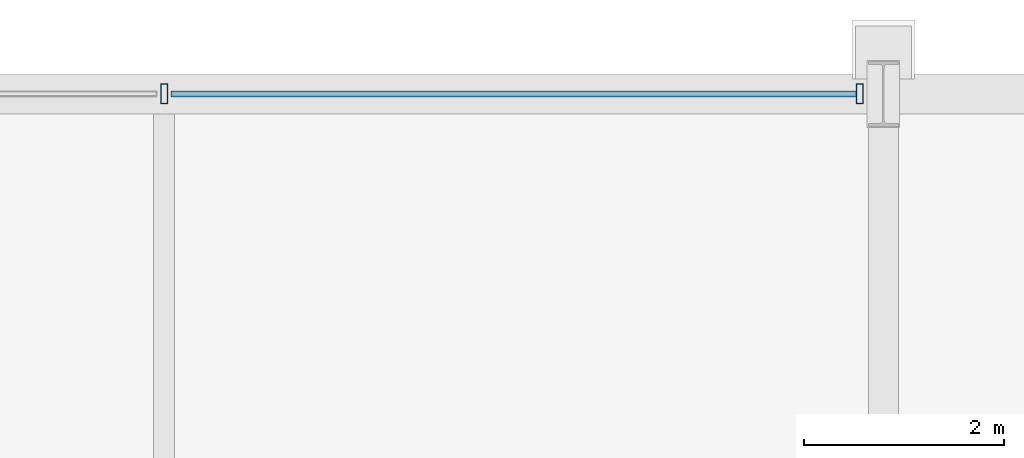
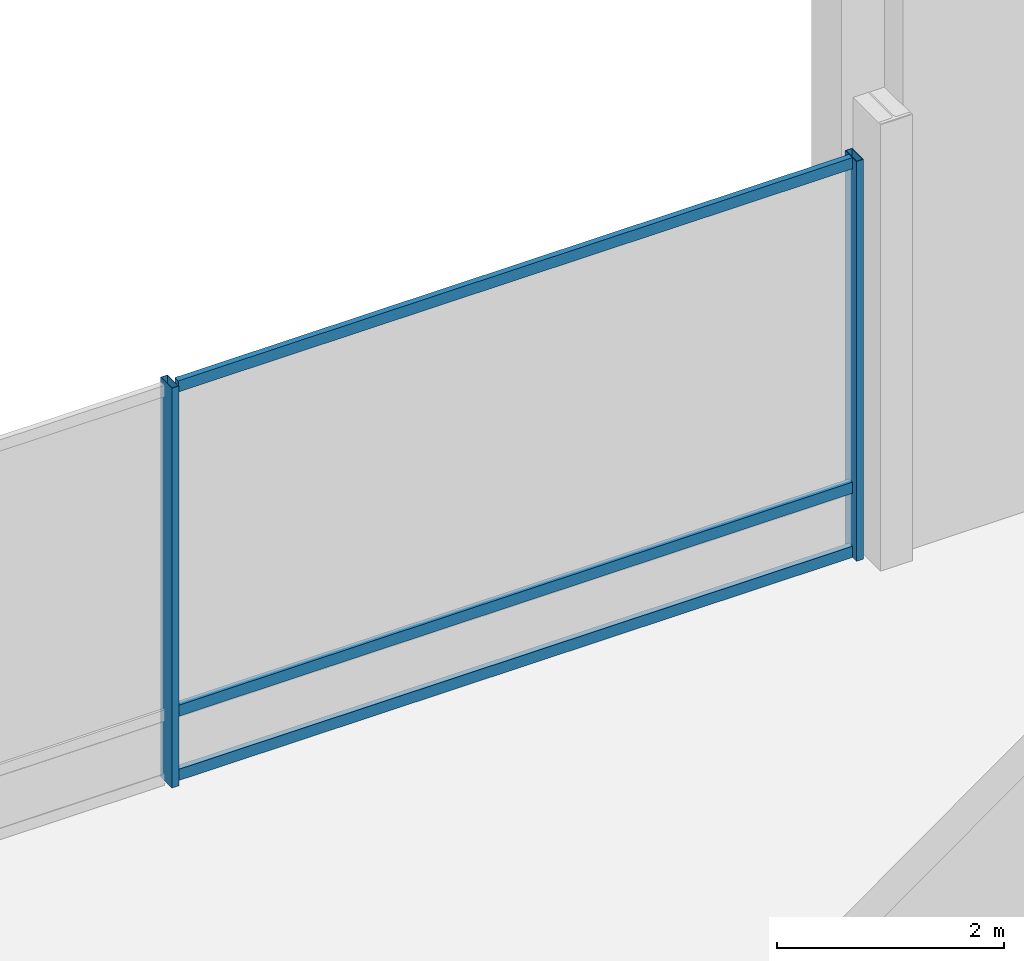
# One storey, part 106 of 193: 5 members, 1 element without a shape of its own.
"""IFC4 building model written with IfcOpenShell, lengths in metres."""

from ifc_helpers import new_model, si_unit, direction, frame, origin, origin_2d, place, context, subcontext, project, spatial, hollow_rectangle, extrude, material, material_profile, profile_set, type_object, element, aggregate, save


model = new_model("IFC4")

# Units and contexts
model_context = context("Model", 3, precision=1e-05, world=origin(), true_north=direction((0.0, 1.0)))
body_context = subcontext(model_context, "Body", "Model", "MODEL_VIEW")
ifc_project = project(units=[si_unit("LENGTHUNIT", "METRE"), si_unit("AREAUNIT", "SQUARE_METRE"), si_unit("VOLUMEUNIT", "CUBIC_METRE"), si_unit("PLANEANGLEUNIT", "RADIAN"), si_unit("MASSUNIT", "GRAM", prefix="KILO")], contexts=[model_context])

# Site, building, storey
site_placement = place(None, origin())
site = spatial("IfcSite", under=ifc_project, at=site_placement, CompositionType="ELEMENT")
building_placement = place(site_placement, origin())
building = spatial("IfcBuilding", under=site, at=building_placement, Name="Cendralis Lancet Convention Centre", CompositionType="ELEMENT")
storey_placement = place(building_placement, frame((0.0, 0.0, 10.199951171875)))
storey = spatial("IfcBuildingStorey", under=building, at=storey_placement, Name="L02", CompositionType="ELEMENT", Elevation=10.199951171875)

# Curtain wall, members
ifc_material = material(Name="Anodised bronze architectural aluminium", Category="aluminium")
curtain_wall_type = type_object("IfcCurtainWallType", Name="ARC-CW-BL02", PredefinedType="USERDEFINED", material=ifc_material)
curtain_wall_placement = place(storey_placement, origin())
curtain_wall = element("IfcCurtainWall", 1, at=curtain_wall_placement, inside=storey, type_object=curtain_wall_type, Name="L02 Curtain Wall CW-BL2 #155", ObjectType="CURTAIN WALL", PredefinedType="USERDEFINED")
ifc_material_profile_1 = material_profile(ifc_material, hollow_rectangle(XDim=0.070068359375, YDim=0.199951171875, WallThickness=0.0048828125, at=origin_2d()), Name="AL-MULL 70x200x5.0")
ifc_profile_set_1 = profile_set([ifc_material_profile_1], Name="Anodised bronze architectural aluminium")
member_type_1 = type_object("IfcMemberType", Name="ARC-CW-ML02", PredefinedType="MULLION", material=ifc_profile_set_1)
member_1_placement = place(storey_placement, frame((160.800048828125, 136.800048828125, 0.0), z_axis=(0.0, 0.0, 1.0), x_axis=(1.0, 0.0, 0.0)))
member_1 = element("IfcMember", 2, at=member_1_placement, type_object=member_type_1, Name="Mullion CW2-CW-BL2-L02-155-M1", PredefinedType="MULLION", context=body_context, shape_type="SweptSolid", body=[
    extrude(hollow_rectangle(XDim=0.070068359375, YDim=0.199951171875, WallThickness=0.0048828125, at=origin_2d()), origin(), (0.0, 0.0, 1.0), 4.300048828125),
])
member_2_placement = place(storey_placement, frame((167.764892578125, 136.800048828125, 0.0), z_axis=(0.0, 0.0, 1.0), x_axis=(1.0, 0.0, 0.0)))
member_2 = element("IfcMember", 3, at=member_2_placement, type_object=member_type_1, Name="Mullion CW2-CW-BL2-L02-155-M2", PredefinedType="MULLION", context=body_context, shape_type="SweptSolid", body=[
    extrude(hollow_rectangle(XDim=0.070068359375, YDim=0.199951171875, WallThickness=0.0048828125, at=origin_2d()), origin(), (0.0, 0.0, 1.0), 4.300048828125),
])
ifc_material_profile_2 = material_profile(ifc_material, hollow_rectangle(XDim=0.06005859375, YDim=0.1201171875, WallThickness=0.00390625, at=origin_2d()), Name="AL-TRAN 60x120x4.0")
ifc_profile_set_2 = profile_set([ifc_material_profile_2], Name="Anodised bronze architectural aluminium")
member_type_2 = type_object("IfcMemberType", Name="ARC-CW-TR01", PredefinedType="USERDEFINED", material=ifc_profile_set_2)
member_3_placement = place(storey_placement, frame((160.8701171875, 136.800048828125, 0.06005859375), z_axis=(1.0, 0.0, 0.0), x_axis=(0.0, 1.0, 0.0)))
member_3 = element("IfcMember", 4, at=member_3_placement, type_object=member_type_2, Name="Transom CW2-CW-BL2-L02-155-T1BOT", ObjectType="TRANSOM", PredefinedType="USERDEFINED", context=body_context, shape_type="SweptSolid", body=[
    extrude(hollow_rectangle(XDim=0.06005859375, YDim=0.1201171875, WallThickness=0.00390625, at=origin_2d()), origin(), (0.0, 0.0, 1.0), 6.85986328125),
])
member_4_placement = place(storey_placement, frame((160.8701171875, 136.800048828125, 0.75), z_axis=(1.0, 0.0, 0.0), x_axis=(0.0, 1.0, 0.0)))
member_4 = element("IfcMember", 5, at=member_4_placement, type_object=member_type_2, Name="Transom CW2-CW-BL2-L02-155-T1MID", ObjectType="TRANSOM", PredefinedType="USERDEFINED", context=body_context, shape_type="SweptSolid", body=[
    extrude(hollow_rectangle(XDim=0.06005859375, YDim=0.1201171875, WallThickness=0.00390625, at=origin_2d()), origin(), (0.0, 0.0, 1.0), 6.85986328125),
])
member_5_placement = place(storey_placement, frame((160.8701171875, 136.800048828125, 4.239990234375), z_axis=(1.0, 0.0, 0.0), x_axis=(0.0, 1.0, 0.0)))
member_5 = element("IfcMember", 6, at=member_5_placement, type_object=member_type_2, Name="Transom CW2-CW-BL2-L02-155-T1TOP", ObjectType="TRANSOM", PredefinedType="USERDEFINED", context=body_context, shape_type="SweptSolid", body=[
    extrude(hollow_rectangle(XDim=0.06005859375, YDim=0.1201171875, WallThickness=0.00390625, at=origin_2d()), origin(), (0.0, 0.0, 1.0), 6.85986328125),
])
aggregate(curtain_wall, [member_1, member_2, member_3, member_4, member_5])

save(model, "model.ifc")
